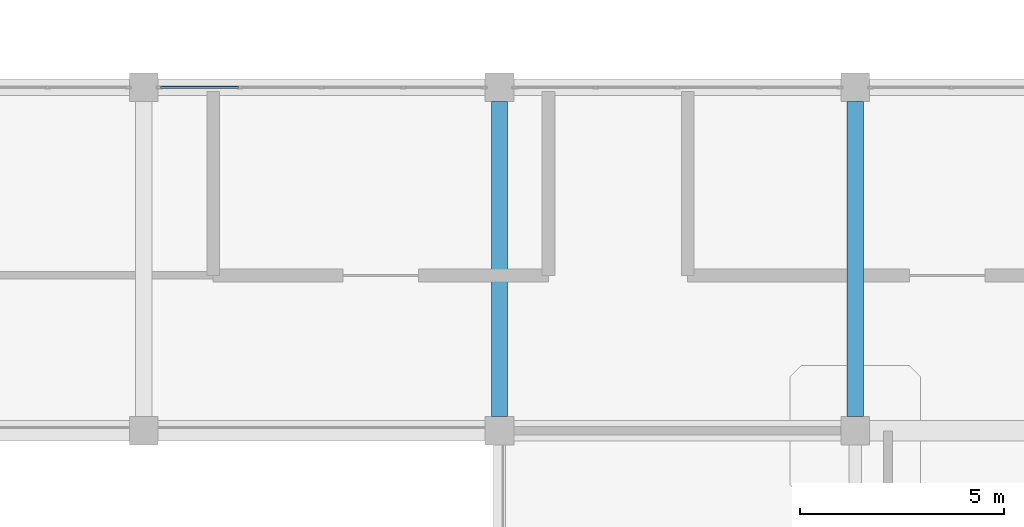
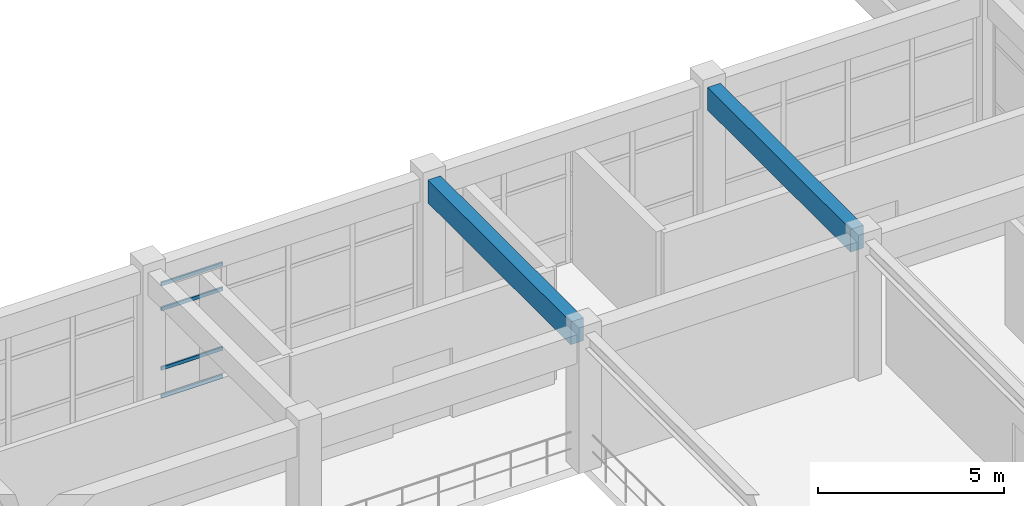
# One storey, part 33 of 64: 4 members, 2 beams, 1 element without a shape of its own.
"""IFC4 building model written with IfcOpenShell, lengths in metres."""

from ifc_helpers import new_model, si_unit, derived_unit, direction, frame, origin, origin_2d, place, context, subcontext, project, spatial, rectangle, hollow_rectangle, extrude, material, layer, layer_set, material_profile, profile_set, type_object, element, aggregate, save


model = new_model("IFC4")

# Units and contexts
model_context = context("Model", 3, precision=1e-05, world=origin(), true_north=direction((0.0, 1.0)))
body_context = subcontext(model_context, "Body", "Model", "MODEL_VIEW")
ifc_project = project(units=[si_unit("LENGTHUNIT", "METRE"), si_unit("AREAUNIT", "SQUARE_METRE"), si_unit("VOLUMEUNIT", "CUBIC_METRE"), si_unit("PLANEANGLEUNIT", "RADIAN"), si_unit("MASSUNIT", "GRAM", prefix="KILO"), derived_unit("THERMALTRANSMITTANCEUNIT", [(si_unit("MASSUNIT", "GRAM", prefix="KILO"), 1), (si_unit("TIMEUNIT", "SECOND"), -3), (si_unit("THERMODYNAMICTEMPERATUREUNIT", "KELVIN"), -1)])], contexts=[model_context])

# Site, building, storey
site_placement = place(None, origin())
site = spatial("IfcSite", under=ifc_project, at=site_placement, CompositionType="ELEMENT")
building_placement = place(site_placement, origin())
building = spatial("IfcBuilding", under=site, at=building_placement, Name="Qinzheling Arcade Emporium", CompositionType="ELEMENT")
storey_placement = place(building_placement, frame((0.0, 0.0, 31.5)))
storey = spatial("IfcBuildingStorey", under=building, at=storey_placement, Name="L07", CompositionType="ELEMENT", Elevation=31.5)

# Curtain wall, members
ifc_material_1 = material(Name="Anodised aluminium and solar-control double glazing", Category="aluminium")
ifc_layer = layer(ifc_material_1, 0.159912109375, Name="Anodised aluminium and solar-control double glazing", Category="aluminium")
ifc_layer_set = layer_set([ifc_layer], Name="Anodised aluminium and solar-control double glazing")
curtain_wall_type = type_object("IfcCurtainWallType", Name="Atrium Clerestory Curtain Wall", PredefinedType="NOTDEFINED", material=ifc_layer_set)
curtain_wall_placement = place(storey_placement, origin())
curtain_wall = element("IfcCurtainWall", 1, at=curtain_wall_placement, inside=storey, type_object=curtain_wall_type, Name="Curtain Wall CW-L07-421", PredefinedType="NOTDEFINED")
ifc_material_2 = material(Name="Anodised aluminium 6063-T6", Category="aluminium")
ifc_material_profile_1 = material_profile(ifc_material_2, hollow_rectangle(XDim=0.06005859375, YDim=0.1201171875, WallThickness=0.00390625, InnerFilletRadius=0.00390625, OuterFilletRadius=0.008056640625, at=origin_2d()), Name="RHS 120x60x4", Category="aluminium")
ifc_profile_set_1 = profile_set([ifc_material_profile_1], Name="Anodised aluminium 6063-T6")
member_type = type_object("IfcMemberType", Name="Curtain Wall Transom RHS120x60", PredefinedType="USERDEFINED", material=ifc_profile_set_1)
member_1_placement = place(storey_placement, frame((78.7119140625, 73.800048828125, 0.030029296875), z_axis=(1.0, 0.0, 0.0), x_axis=(0.0, 1.0, 0.0)))
member_1 = element("IfcMember", 2, at=member_1_placement, type_object=member_type, Name="CW03 transom 1.1", ObjectType="TRANSOM", PredefinedType="USERDEFINED", context=body_context, shape_type="SweptSolid", body=[
    extrude(hollow_rectangle(XDim=0.06005859375, YDim=0.1201171875, WallThickness=0.00390625, InnerFilletRadius=0.00390625, OuterFilletRadius=0.008056640625, at=origin_2d()), origin(), (0.0, 0.0, 1.0), 1.9091796875),
])
member_2_placement = place(storey_placement, frame((78.7119140625, 73.800048828125, 0.949951171875), z_axis=(1.0, 0.0, 0.0), x_axis=(0.0, 1.0, 0.0)))
member_2 = element("IfcMember", 3, at=member_2_placement, type_object=member_type, Name="CW03 transom 1.2", ObjectType="TRANSOM", PredefinedType="USERDEFINED", context=body_context, shape_type="SweptSolid", body=[
    extrude(hollow_rectangle(XDim=0.06005859375, YDim=0.1201171875, WallThickness=0.00390625, InnerFilletRadius=0.00390625, OuterFilletRadius=0.008056640625, at=origin_2d()), origin(), (0.0, 0.0, 1.0), 1.9091796875),
])
member_3_placement = place(storey_placement, frame((78.7119140625, 73.800048828125, 2.905029296875), z_axis=(1.0, 0.0, 0.0), x_axis=(0.0, 1.0, 0.0)))
member_3 = element("IfcMember", 4, at=member_3_placement, type_object=member_type, Name="CW03 transom 1.3", ObjectType="TRANSOM", PredefinedType="USERDEFINED", context=body_context, shape_type="SweptSolid", body=[
    extrude(hollow_rectangle(XDim=0.06005859375, YDim=0.1201171875, WallThickness=0.00390625, InnerFilletRadius=0.00390625, OuterFilletRadius=0.008056640625, at=origin_2d()), origin(), (0.0, 0.0, 1.0), 1.9091796875),
])
member_4_placement = place(storey_placement, frame((78.7119140625, 73.800048828125, 3.72509765625), z_axis=(1.0, 0.0, 0.0), x_axis=(0.0, 1.0, 0.0)))
member_4 = element("IfcMember", 5, at=member_4_placement, type_object=member_type, Name="CW03 transom 1.4", ObjectType="TRANSOM", PredefinedType="USERDEFINED", context=body_context, shape_type="SweptSolid", body=[
    extrude(hollow_rectangle(XDim=0.06005859375, YDim=0.1201171875, WallThickness=0.00390625, InnerFilletRadius=0.00390625, OuterFilletRadius=0.008056640625, at=origin_2d()), origin(), (0.0, 0.0, 1.0), 1.9091796875),
])
aggregate(curtain_wall, [member_1, member_2, member_3, member_4])

# Beams
ifc_material_3 = material(Name="Concrete C40", Category="concrete")
ifc_material_profile_2 = material_profile(ifc_material_3, rectangle(XDim=0.39990234375, YDim=0.75, at=origin_2d()), Name="RC 400x750", Category="concrete")
ifc_profile_set_2 = profile_set([ifc_material_profile_2], Name="Concrete C40")
beam_type = type_object("IfcBeamType", Name="RC Interior Tie Beam 400x750 C40", PredefinedType="BEAM", material=ifc_profile_set_2)
for number, where, z_axis, x_axis, name in (
    (6, (87.0, 65.75, 4.14501953125), (0.0, 1.0, 0.0), (-1.0, 0.0, 0.0), "Beam BM-L07-Y-11-H"),
    (7, (95.699951171875, 65.75, 4.14501953125), (0.0, 1.0, 0.0), (-1.0, 0.0, 0.0), "Beam BM-L07-Y-12-H"),
):
    element("IfcBeam", number, at=place(storey_placement, frame(where, z_axis=z_axis, x_axis=x_axis)), inside=storey, type_object=beam_type, Name=name, PredefinedType="BEAM", context=body_context, shape_type="SweptSolid", body=[
        extrude(rectangle(XDim=0.39990234375, YDim=0.75, at=origin_2d()), origin(), (0.0, 0.0, 1.0), 7.699951171875),
    ])

save(model, "model.ifc")
